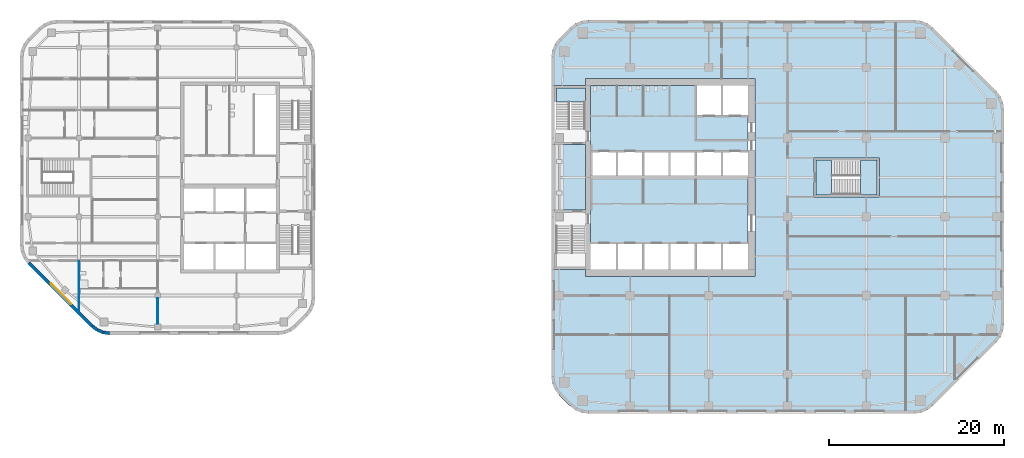
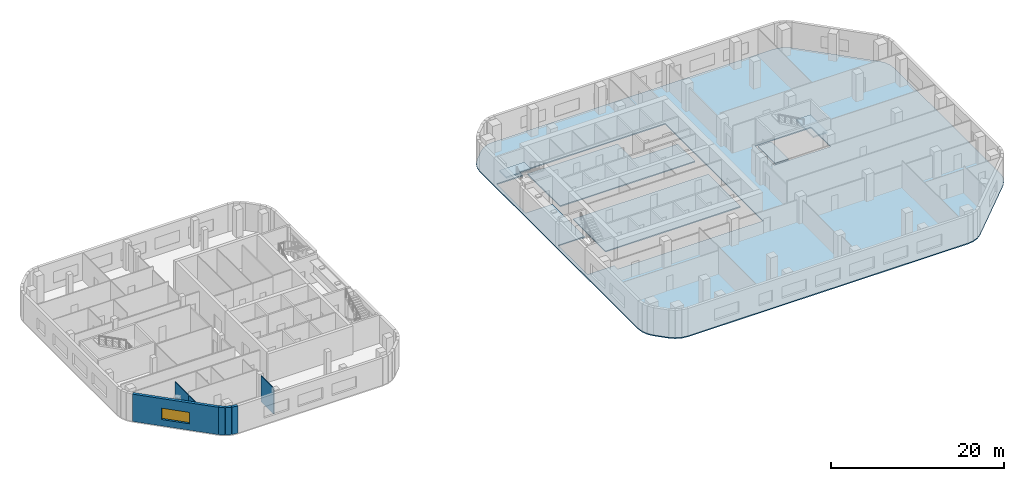
# One storey, part 4 of 14: 7 walls, 6 slabs, 1 window, 1 opening, 2 elements without a shape of their own.
"""IFC4 building model written with IfcOpenShell, lengths in metres."""

from ifc_helpers import new_model, si_unit, direction, frame, frame_2d, origin, place, context, subcontext, project, spatial, polyline, rectangle, outline, extrude, material, layer, layer_set, type_object, element, fill, aggregate, save


model = new_model("IFC4")

# Units and contexts
model_context = context("Model", 3, precision=1e-05, world=origin(), true_north=direction((0.0, 1.0)))
body_context = subcontext(model_context, "Body", "Model", "MODEL_VIEW")
ifc_project = project(units=[si_unit("LENGTHUNIT", "METRE"), si_unit("AREAUNIT", "SQUARE_METRE"), si_unit("VOLUMEUNIT", "CUBIC_METRE"), si_unit("PLANEANGLEUNIT", "RADIAN"), si_unit("MASSUNIT", "GRAM", prefix="KILO")], contexts=[model_context])

# Site, building, storey
site_placement = place(None, origin())
site = spatial("IfcSite", under=ifc_project, at=site_placement, CompositionType="ELEMENT")
building_placement = place(site_placement, origin())
building = spatial("IfcBuilding", under=site, at=building_placement, Name="Cinnabar Reach Civic Tower", CompositionType="ELEMENT")
storey_placement = place(building_placement, frame((0.0, 0.0, 136.0)))
storey = spatial("IfcBuildingStorey", under=building, at=storey_placement, Name="L32", CompositionType="ELEMENT", Elevation=136.0)

# Slab
ifc_material_1 = material(Name="Concrete C40", Category="concrete")
ifc_layer_1 = layer(ifc_material_1, 0.15)
ifc_layer_set_1 = layer_set([ifc_layer_1], Name="Composite floor slab 150 REI 150")
slab_type_1 = type_object("IfcSlabType", Name="Composite floor slab 150 REI 150", PredefinedType="FLOOR", material=ifc_layer_set_1)
slab_1_placement = place(storey_placement, frame((0.0, 0.0, -0.15)))
element("IfcSlab", 1, at=slab_1_placement, inside=storey, type_object=slab_type_1, Name="Composite floor slab 150 T1 L32", PredefinedType="FLOOR", context=body_context, shape_type="SweptSolid", body=[
    extrude(outline(polyline([(0.8787, 6.6213), (0.4019, 7.2426), (0.1022, 7.9662), (0.0, 8.7426), (0.0, 45.2574), (0.1022, 46.0338), (0.4019, 46.7574), (0.8787, 47.3787), (2.1213, 48.6213), (2.7426, 49.0981), (3.4662, 49.3978), (4.2426, 49.5), (41.5074, 49.5), (42.2838, 49.3978), (43.0074, 49.0981), (43.6287, 48.6213), (50.8713, 41.3787), (51.3481, 40.7574), (51.6478, 40.0338), (51.75, 39.2574), (51.75, 14.7426), (51.6478, 13.9662), (51.3481, 13.2426), (50.8713, 12.6213), (43.6287, 5.3787), (43.0074, 4.9019), (42.2838, 4.6022), (41.5074, 4.5), (4.2426, 4.5), (3.4662, 4.6022), (2.7426, 4.9019), (2.1213, 5.3787), (0.8787, 6.6213)]), holes=[polyline([(0.36, 21.0), (3.9, 21.0), (3.9, 20.2), (23.3, 20.2), (23.3, 42.8), (3.9, 42.8), (3.9, 42.0), (0.36, 42.0), (0.36, 35.25), (3.9, 35.25), (3.9, 27.75), (0.36, 27.75), (0.36, 21.0)]), polyline([(30.0, 33.75), (30.0, 29.25), (37.5, 29.25), (37.5, 33.75), (30.0, 33.75)])]), origin(), (0.0, 0.0, 1.0), 0.15),
])

# Stair, slab
ifc_material_2 = material(Name="Concrete C40/50", Category="concrete")
stair_type = type_object("IfcStairType", Name="T1 Exit stair, half-turn", PredefinedType="HALF_TURN_STAIR", material=ifc_material_2)
stair_1_placement = place(storey_placement, origin())
stair_1 = element("IfcStair", 2, at=stair_1_placement, inside=storey, type_object=stair_type, Name="Stair T1-S2", PredefinedType="HALF_TURN_STAIR")
ifc_layer_2 = layer(ifc_material_2, 0.2)
ifc_layer_set_2 = layer_set([ifc_layer_2], Name="T1 Stair landing 200, Concrete C40/50")
slab_type_2 = type_object("IfcSlabType", Name="T1 Stair landing 200, Concrete C40/50", PredefinedType="LANDING", material=ifc_layer_set_2)
slab_2_placement = place(storey_placement, frame((0.0, 0.0, 1.8)))
slab_2 = element("IfcSlab", 3, at=slab_2_placement, type_object=slab_type_2, Name="T1-S2 landing 2", PredefinedType="LANDING", context=body_context, shape_type="SweptSolid", body=[
    extrude(outline(polyline([(0.6, 40.13), (0.6, 41.75), (3.9, 41.75), (3.9, 40.13), (0.6, 40.13)])), origin(), (0.0, 0.0, 1.0), 0.2),
])
aggregate(stair_1, [slab_2])

# Stair, slabs
stair_2_placement = place(storey_placement, origin())
stair_2 = element("IfcStair", 4, at=stair_2_placement, inside=storey, type_object=stair_type, Name="Stair T1-S3", PredefinedType="HALF_TURN_STAIR")
slab_3_placement = place(storey_placement, frame((0.0, 0.0, -0.2)))
slab_3 = element("IfcSlab", 5, at=slab_3_placement, type_object=slab_type_2, Name="T1-S3 landing 1", PredefinedType="LANDING", context=body_context, shape_type="SweptSolid", body=[
    extrude(outline(polyline([(30.25, 29.5), (32.05, 29.5), (32.05, 33.5), (30.25, 33.5), (30.25, 29.5)])), origin(), (0.0, 0.0, 1.0), 0.2),
])
slab_4_placement = place(storey_placement, frame((0.0, 0.0, 1.8)))
slab_4 = element("IfcSlab", 6, at=slab_4_placement, type_object=slab_type_2, Name="T1-S3 landing 2", PredefinedType="LANDING", context=body_context, shape_type="SweptSolid", body=[
    extrude(outline(polyline([(35.35, 29.5), (37.25, 29.5), (37.25, 33.5), (35.35, 33.5), (35.35, 29.5)])), origin(), (0.0, 0.0, 1.0), 0.2),
])
aggregate(stair_2, [slab_3, slab_4])

# Slabs
ifc_layer_3 = layer(ifc_material_2, 0.15)
ifc_layer_set_3 = layer_set([ifc_layer_3], Name="T1 core floor slab 150")
slab_type_3 = type_object("IfcSlabType", Name="T1 core floor slab 150", PredefinedType="FLOOR", material=ifc_layer_set_3)
slab_5_placement = place(storey_placement, frame((0.0, 0.0, -0.15)))
element("IfcSlab", 7, at=slab_5_placement, inside=storey, type_object=slab_type_3, Name="Core floor slab L32", PredefinedType="FLOOR", context=body_context, shape_type="SweptSolid", body=[
    extrude(outline(polyline([(22.5, 24.0), (19.5, 24.0), (16.5, 24.0), (13.5, 24.0), (10.5, 24.0), (7.5, 24.0), (4.5, 24.0), (4.5, 31.5), (7.5, 31.5), (10.5, 31.5), (13.5, 31.5), (16.5, 31.5), (19.5, 31.5), (22.5, 31.5), (22.5, 24.0)])), origin(), (0.0, 0.0, 1.0), 0.15),
])
slab_6_placement = place(storey_placement, frame((0.0, 0.0, -0.15)))
element("IfcSlab", 8, at=slab_6_placement, inside=storey, type_object=slab_type_3, Name="Core floor slab L32", PredefinedType="FLOOR", context=body_context, shape_type="SweptSolid", body=[
    extrude(outline(polyline([(22.5, 34.5), (19.5, 34.5), (16.5, 34.5), (13.5, 34.5), (10.5, 34.5), (7.5, 34.5), (4.5, 34.5), (4.5, 42.0), (16.5, 42.0), (16.5, 38.5), (19.5, 38.5), (22.5, 38.5), (22.5, 34.5)])), origin(), (0.0, 0.0, 1.0), 0.15),
])

# Walls
ifc_material_3 = material(Name="Facing brick with insulated backing", Category="masonry")
ifc_layer_4 = layer(ifc_material_3, 0.36)
ifc_layer_set_4 = layer_set([ifc_layer_4], Name="Brick corner wall")
wall_type_1 = type_object("IfcWallType", Name="Brick corner wall", PredefinedType="STANDARD", material=ifc_layer_set_4)
wall_1_placement = place(storey_placement, frame((-52.4913, 14.5002, 0.0), z_axis=(0.0, 0.0, 1.0), x_axis=(0.793321924995, -0.608802368033, 0.0)))
element("IfcWall", 9, at=wall_1_placement, inside=storey, type_object=wall_type_1, Name="Brick corner wall", PredefinedType="STANDARD", context=body_context, shape_type="SweptSolid", body=[
    extrude(rectangle(XDim=0.7132, YDim=0.36, at=frame_2d((0.3566, 0.0))), origin(), (0.0, 0.0, 1.0), 3.85),
])
for number, where, z_axis, x_axis, name in (
    (10, (-51.9061, 14.0548, 0.0), (0.0, 0.0, 1.0), (0.923871547278, -0.382702709855, 0.0), "Brick corner wall"),
    (11, (-51.2256, 13.7761, 0.0), (0.0, 0.0, 1.0), (0.99144092581, -0.13055608231, 0.0), "Brick corner wall"),
):
    element("IfcWall", number, at=place(storey_placement, frame(where, z_axis=z_axis, x_axis=x_axis)), inside=storey, type_object=wall_type_1, Name=name, PredefinedType="STANDARD", context=body_context, shape_type="SweptSolid", body=[
        extrude(rectangle(XDim=0.7131, YDim=0.36, at=frame_2d((0.3565, 0.0))), origin(), (0.0, 0.0, 1.0), 3.85),
    ])

# Wall, opening, window
ifc_layer_5 = layer(ifc_material_3, 0.36)
ifc_layer_set_5 = layer_set([ifc_layer_5], Name="Brick pier and spandrel wall")
wall_type_2 = type_object("IfcWallType", Name="Brick pier and spandrel wall", PredefinedType="STANDARD", material=ifc_layer_set_5)
wall_2_placement = place(storey_placement, frame((-59.744, 21.7486, 0.0), z_axis=(0.0, 0.0, 1.0), x_axis=(0.707106781187, -0.707106781187, 0.0)))
wall_2 = element("IfcWall", 12, at=wall_2_placement, inside=storey, type_object=wall_type_2, Name="Brick facade wall", PredefinedType="STANDARD", context=body_context, shape_type="SweptSolid", body=[
    extrude(rectangle(XDim=10.2426, YDim=0.36, at=frame_2d((5.1213, 0.0))), origin(), (0.0, 0.0, 1.0), 3.85),
])
opening_placement = place(wall_2_placement, frame((3.4713, 0.0, 0.9)))
opening = element("IfcOpeningElement", 13, at=opening_placement, cuts=wall_2, Name="Opening W2806", PredefinedType="OPENING", context=body_context, shape_type="SweptSolid", body=[
    extrude(rectangle(XDim=3.3, YDim=1.6, at=frame_2d((1.65, 0.8))), frame((0.0, 0.19, 0.0), z_axis=(0.0, -1.0, 0.0), x_axis=(1.0, 0.0, 0.0)), (0.0, 0.0, 1.0), 0.38),
])
ifc_material_4 = material(Name="Clear double glazing in aluminium frame", Category="aluminium")
window_type = type_object("IfcWindowType", Name="Deep-set window A", PartitioningType="SINGLE_PANEL", PredefinedType="WINDOW", material=ifc_material_4)
window_placement = place(opening_placement, origin())
window = element("IfcWindow", 14, at=window_placement, inside=storey, type_object=window_type, Name="Window southwest face", OverallHeight=1.6, OverallWidth=3.3, PartitioningType="SINGLE_PANEL", PredefinedType="WINDOW", context=body_context, shape_type="SweptSolid", body=[
    extrude(rectangle(XDim=3.3, YDim=1.6, at=frame_2d((1.65, 0.8))), frame((0.0, 0.13, 0.0), z_axis=(0.0, -1.0, 0.0), x_axis=(1.0, 0.0, 0.0)), (0.0, 0.0, 1.0), 0.06),
])
fill(opening, window)

# Walls
ifc_material_5 = material(Name="Gypsum board on steel studs", Category="steel")
ifc_layer_6 = layer(ifc_material_5, 0.1)
ifc_layer_set_6 = layer_set([ifc_layer_6], Name="Partition wall 100 T2")
wall_type_3 = type_object("IfcWallType", Name="Partition wall 100 T2", PredefinedType="PARTITIONING", material=ifc_layer_set_6)
wall_3_placement = place(storey_placement, frame((-45.0, 14.75, 0.0), z_axis=(0.0, 0.0, 1.0), x_axis=(0.0, 1.0, 0.0)))
element("IfcWall", 15, at=wall_3_placement, inside=storey, type_object=wall_type_3, Name="Partition wall 20", PredefinedType="PARTITIONING", context=body_context, shape_type="SweptSolid", body=[
    extrude(rectangle(XDim=2.95, YDim=0.1, at=frame_2d((1.475, 0.0))), origin(), (0.0, 0.0, 1.0), 3.652),
])
wall_4_placement = place(storey_placement, frame((-54.0, 18.85, 0.0), z_axis=(0.0, 0.0, 1.0), x_axis=(0.0, 1.0, 0.0)))
element("IfcWall", 16, at=wall_4_placement, inside=storey, type_object=wall_type_3, Name="Partition wall 22", PredefinedType="PARTITIONING", context=body_context, shape_type="SweptSolid", body=[
    extrude(rectangle(XDim=3.075, YDim=0.1, at=frame_2d((1.5375, 0.0))), origin(), (0.0, 0.0, 1.0), 3.362),
])
wall_5_placement = place(storey_placement, frame((-54.0, 16.2591, 0.0), z_axis=(0.0, 0.0, 1.0), x_axis=(0.0, 1.0, 0.0)))
element("IfcWall", 17, at=wall_5_placement, inside=storey, type_object=wall_type_3, Name="Partition wall 23", PredefinedType="PARTITIONING", context=body_context, shape_type="SweptSolid", body=[
    extrude(rectangle(XDim=2.4909, YDim=0.1, at=frame_2d((1.2454, 0.0))), origin(), (0.0, 0.0, 1.0), 3.362),
])

save(model, "model.ifc")
